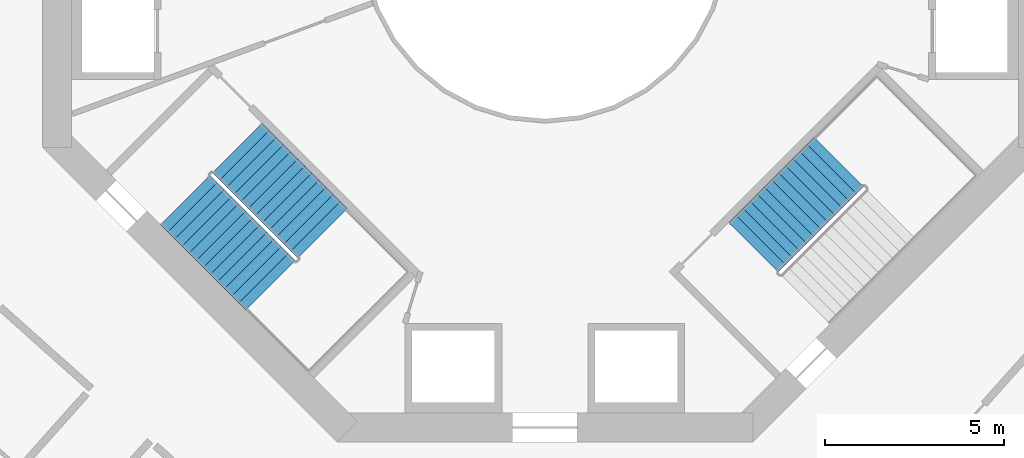
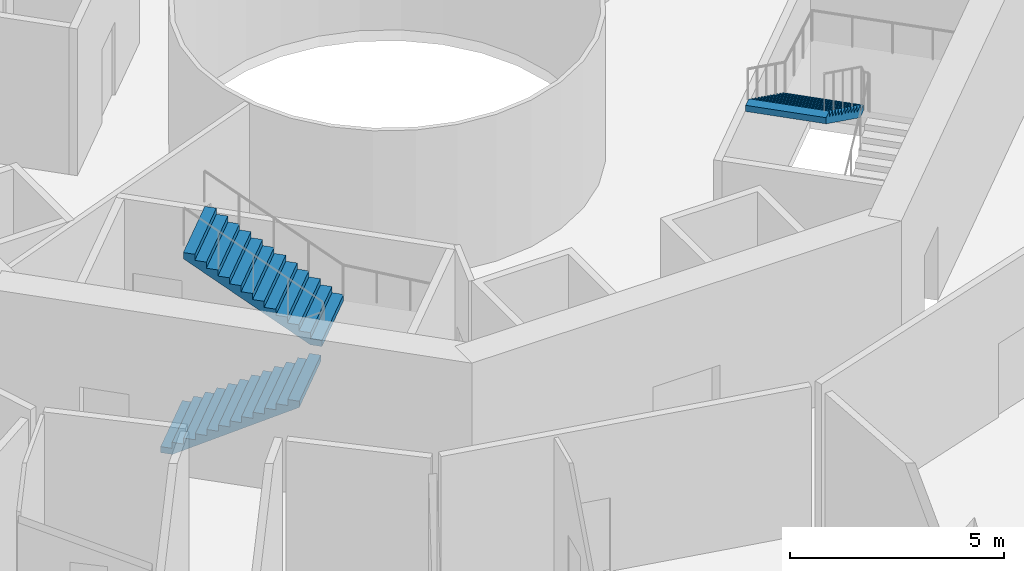
# One storey, part 19 of 21: 3 stair flights, 2 elements without a shape of their own.
"""IFC4 building model written with IfcOpenShell, lengths in metres."""

from ifc_helpers import new_model, si_unit, direction, frame, origin, place, context, subcontext, project, spatial, triangles, material, type_object, element, aggregate, save


model = new_model("IFC4")

# Units and contexts
model_context = context("Model", 3, precision=1e-05, world=origin(), true_north=direction((0.0, 1.0)))
body_context = subcontext(model_context, "Body", "Model", "MODEL_VIEW")
ifc_project = project(units=[si_unit("LENGTHUNIT", "METRE"), si_unit("AREAUNIT", "SQUARE_METRE"), si_unit("VOLUMEUNIT", "CUBIC_METRE"), si_unit("PLANEANGLEUNIT", "RADIAN"), si_unit("MASSUNIT", "GRAM", prefix="KILO")], contexts=[model_context])

# Site, building, storey
site_placement = place(None, origin())
site = spatial("IfcSite", under=ifc_project, at=site_placement, CompositionType="ELEMENT")
building_placement = place(site_placement, origin())
building = spatial("IfcBuilding", under=site, at=building_placement, Name="Verdalira Terraces Hotel", CompositionType="ELEMENT")
storey_placement = place(building_placement, frame((0.0, 0.0, 107.0)))
storey = spatial("IfcBuildingStorey", under=building, at=storey_placement, Name="L25", CompositionType="ELEMENT", Elevation=107.0)

# Stair, stair flights
ifc_material_1 = material(Name="Concrete C40", Category="concrete")
stair_type = type_object("IfcStairType", Name="Core stair 26 risers 1950 mm wide", PredefinedType="HALF_TURN_STAIR", material=ifc_material_1)
stair_1_placement = place(storey_placement, origin())
stair_1 = element("IfcStair", 1, at=stair_1_placement, inside=storey, type_object=stair_type, Name="L25 Exit stair ST2", PredefinedType="HALF_TURN_STAIR")
ifc_material_2 = material(Name="Concrete C40", Category="concrete")
stair_flight_type = type_object("IfcStairFlightType", Name="Core stair flight 26 risers 1950 mm wide", PredefinedType="STRAIGHT", material=ifc_material_2)
stair_flight_1_placement = place(storey_placement, frame((-10.023193, -7.265625, 0.0), z_axis=(0.0, 0.0, 1.0), x_axis=(0.707106781, -0.707106781, 0.0)))
stair_flight_1 = element("IfcStairFlight", 2, at=stair_flight_1_placement, type_object=stair_flight_type, Name="ST2 flight 1", NumberOfRisers=13, NumberOfTreads=12, PredefinedType="STRAIGHT", RiserHeight=0.173076923, TreadLength=0.28, context=body_context, shape_type="Tessellation", body=[
    triangles([(0.0, 0.974976, 0.0), (0.285156, 0.974976, 0.0), (3.360107, 0.974976, 1.900635), (0.0, -0.974976, 0.0), (0.285156, -0.974976, 0.0), (3.360107, -0.974976, 1.900635), (3.360107, 0.974976, 2.076904), (3.080078, 0.974976, 2.076904), (3.360107, -0.974976, 2.076904), (3.080078, -0.974976, 2.076904), (3.080078, 0.974976, 1.903809), (3.080078, -0.974976, 1.903809), (2.800049, 0.974976, 1.903809), (2.800049, -0.974976, 1.903809), (2.800049, 0.974976, 1.730713), (2.800049, -0.974976, 1.730713), (2.52002, 0.974976, 1.730713), (2.52002, 0.974976, 1.557617), (2.52002, -0.974976, 1.730713), (2.52002, -0.974976, 1.557617), (2.23999, 0.974976, 1.557617), (2.23999, 0.974976, 1.384521), (2.23999, -0.974976, 1.557617), (2.23999, -0.974976, 1.384521), (1.959961, 0.974976, 1.384521), (1.959961, 0.974976, 1.211426), (1.959961, -0.974976, 1.384521), (1.959961, -0.974976, 1.211426), (1.679932, 0.974976, 1.211426), (1.679932, 0.974976, 1.038574), (1.679932, -0.974976, 1.211426), (1.679932, -0.974976, 1.038574), (1.399902, 0.974976, 1.038574), (1.399902, 0.974976, 0.865479), (1.399902, -0.974976, 1.038574), (1.399902, -0.974976, 0.865479), (1.120117, 0.974976, 0.865479), (1.120117, 0.974976, 0.692383), (1.120117, -0.974976, 0.865479), (1.120117, -0.974976, 0.692383), (0.840088, 0.974976, 0.692383), (0.840088, 0.974976, 0.519287), (0.840088, -0.974976, 0.692383), (0.840088, -0.974976, 0.519287), (0.560059, 0.974976, 0.519287), (0.560059, 0.974976, 0.346191), (0.560059, -0.974976, 0.519287), (0.560059, -0.974976, 0.346191), (0.280029, 0.974976, 0.346191), (0.280029, 0.974976, 0.173096), (0.280029, -0.974976, 0.346191), (0.280029, -0.974976, 0.173096), (0.0, 0.974976, 0.173096), (0.0, -0.974976, 0.173096), (0.0, -0.91404, 0.0), (0.0, -0.91404, 0.173096), (0.0, -0.853104, 0.0), (0.0, -0.853104, 0.173096), (0.0, -0.792168, 0.0), (0.0, -0.792168, 0.173096), (0.0, -0.731232, 0.0), (0.0, -0.731232, 0.173096), (0.0, -0.670296, 0.0), (0.0, -0.670296, 0.173096), (0.0, -0.60936, 0.0), (0.0, -0.60936, 0.173096), (0.0, -0.548424, 0.0), (0.0, -0.548424, 0.173096), (0.0, -0.487488, 0.0), (0.0, -0.487488, 0.173096), (0.0, -0.426552, 0.0), (0.0, -0.426552, 0.173096), (0.0, -0.365616, 0.0), (0.0, -0.365616, 0.173096), (0.0, -0.30468, 0.0), (0.0, -0.30468, 0.173096), (0.0, -0.243744, 0.0), (0.0, -0.243744, 0.173096), (0.0, -0.182808, 0.0), (0.0, -0.182808, 0.173096), (0.0, -0.121872, 0.0), (0.0, -0.121872, 0.173096), (0.0, -0.060936, 0.0), (0.0, -0.060936, 0.173096), (0.0, 0.0, 0.0), (0.0, 0.0, 0.173096), (0.0, 0.060936, 0.0), (0.0, 0.060936, 0.173096), (0.0, 0.121872, 0.0), (0.0, 0.121872, 0.173096), (0.0, 0.182808, 0.0), (0.0, 0.182808, 0.173096), (0.0, 0.243744, 0.0), (0.0, 0.243744, 0.173096), (0.0, 0.30468, 0.0), (0.0, 0.30468, 0.173096), (0.0, 0.365616, 0.0), (0.0, 0.365616, 0.173096), (0.0, 0.426552, 0.0), (0.0, 0.426552, 0.173096), (0.0, 0.487488, 0.0), (0.0, 0.487488, 0.173096), (0.0, 0.548424, 0.0), (0.0, 0.548424, 0.173096), (0.0, 0.60936, 0.0), (0.0, 0.60936, 0.173096), (0.0, 0.670296, 0.0), (0.0, 0.670296, 0.173096), (0.0, 0.731232, 0.0), (0.0, 0.731232, 0.173096), (0.0, 0.792168, 0.0), (0.0, 0.792168, 0.173096), (0.0, 0.853104, 0.0), (0.0, 0.853104, 0.173096), (0.0, 0.91404, 0.0), (0.0, 0.91404, 0.173096), (3.360107, -0.91404, 2.076904), (3.360107, -0.853104, 2.076904), (3.360107, -0.792168, 2.076904), (3.360107, -0.731232, 2.076904), (3.360107, -0.670296, 2.076904), (3.360107, -0.60936, 2.076904), (3.360107, -0.548424, 2.076904), (3.360107, -0.487488, 2.076904), (3.360107, -0.426552, 2.076904), (3.360107, -0.365616, 2.076904), (3.360107, -0.30468, 2.076904), (3.360107, -0.243744, 2.076904), (3.360107, -0.182808, 2.076904), (3.360107, -0.121872, 2.076904), (3.360107, -0.060936, 2.076904), (3.360107, 0.0, 2.076904), (3.360107, 0.060936, 2.076904), (3.360107, 0.121872, 2.076904), (3.360107, 0.182808, 2.076904), (3.360107, 0.243744, 2.076904), (3.360107, 0.30468, 2.076904), (3.360107, 0.365616, 2.076904), (3.360107, 0.426552, 2.076904), (3.360107, 0.487488, 2.076904), (3.360107, 0.548424, 2.076904), (3.360107, 0.60936, 2.076904), (3.360107, 0.670296, 2.076904), (3.360107, 0.731232, 2.076904), (3.360107, 0.792168, 2.076904), (3.360107, 0.853104, 2.076904), (3.360107, 0.91404, 2.076904), (3.360107, -0.91404, 1.900635), (3.360107, -0.853104, 1.900635), (3.360107, -0.792168, 1.900635), (3.360107, -0.731232, 1.900635), (3.360107, -0.670296, 1.900635), (3.360107, -0.60936, 1.900635), (3.360107, -0.548424, 1.900635), (3.360107, -0.487488, 1.900635), (3.360107, -0.426552, 1.900635), (3.360107, -0.365616, 1.900635), (3.360107, -0.30468, 1.900635), (3.360107, -0.243744, 1.900635), (3.360107, -0.182808, 1.900635), (3.360107, -0.121872, 1.900635), (3.360107, -0.060936, 1.900635), (3.360107, 0.0, 1.900635), (3.360107, 0.060936, 1.900635), (3.360107, 0.121872, 1.900635), (3.360107, 0.182808, 1.900635), (3.360107, 0.243744, 1.900635), (3.360107, 0.30468, 1.900635), (3.360107, 0.365616, 1.900635), (3.360107, 0.426552, 1.900635), (3.360107, 0.487488, 1.900635), (3.360107, 0.548424, 1.900635), (3.360107, 0.60936, 1.900635), (3.360107, 0.670296, 1.900635), (3.360107, 0.731232, 1.900635), (3.360107, 0.792168, 1.900635), (3.360107, 0.853104, 1.900635), (3.360107, 0.91404, 1.900635)], [[1, 3, 2], [4, 5, 6], [3, 8, 7], [6, 9, 10], [3, 11, 8], [6, 10, 12], [3, 13, 11], [6, 12, 14], [3, 15, 13], [6, 14, 16], [15, 18, 17], [16, 19, 20], [3, 18, 15], [6, 16, 20], [18, 22, 21], [20, 23, 24], [3, 22, 18], [6, 20, 24], [22, 26, 25], [24, 27, 28], [3, 26, 22], [6, 24, 28], [1, 26, 3], [4, 6, 28], [26, 30, 29], [28, 31, 32], [30, 34, 33], [32, 35, 36], [26, 34, 30], [28, 32, 36], [34, 38, 37], [36, 39, 40], [26, 38, 34], [28, 36, 40], [38, 42, 41], [40, 43, 44], [26, 42, 38], [28, 40, 44], [42, 46, 45], [44, 47, 48], [26, 46, 42], [28, 44, 48], [46, 50, 49], [48, 51, 52], [26, 50, 46], [28, 48, 52], [1, 50, 26], [4, 28, 52], [50, 1, 53], [52, 54, 4], [4, 56, 55], [4, 54, 56], [55, 58, 57], [55, 56, 58], [57, 60, 59], [57, 58, 60], [59, 62, 61], [59, 60, 62], [61, 64, 63], [61, 62, 64], [63, 66, 65], [63, 64, 66], [65, 68, 67], [65, 66, 68], [67, 70, 69], [67, 68, 70], [69, 72, 71], [69, 70, 72], [71, 74, 73], [71, 72, 74], [73, 76, 75], [73, 74, 76], [75, 78, 77], [75, 76, 78], [77, 80, 79], [77, 78, 80], [79, 82, 81], [79, 80, 82], [81, 84, 83], [81, 82, 84], [83, 86, 85], [83, 84, 86], [85, 88, 87], [85, 86, 88], [87, 90, 89], [87, 88, 90], [89, 92, 91], [89, 90, 92], [91, 94, 93], [91, 92, 94], [93, 96, 95], [93, 94, 96], [95, 98, 97], [95, 96, 98], [97, 100, 99], [97, 98, 100], [99, 102, 101], [99, 100, 102], [101, 104, 103], [101, 102, 104], [103, 106, 105], [103, 104, 106], [105, 108, 107], [105, 106, 108], [107, 110, 109], [107, 108, 110], [109, 112, 111], [109, 110, 112], [111, 114, 113], [111, 112, 114], [113, 116, 115], [113, 114, 116], [115, 53, 1], [115, 116, 53], [54, 52, 56], [56, 52, 58], [58, 52, 60], [60, 52, 62], [62, 52, 64], [64, 52, 66], [66, 52, 68], [68, 52, 70], [70, 52, 72], [72, 52, 74], [74, 52, 76], [76, 52, 78], [78, 52, 80], [80, 52, 82], [82, 52, 84], [84, 52, 86], [86, 52, 88], [88, 52, 90], [90, 52, 92], [92, 52, 94], [94, 52, 96], [96, 52, 98], [98, 52, 100], [100, 52, 102], [102, 52, 104], [104, 52, 106], [106, 52, 108], [108, 52, 110], [110, 52, 112], [112, 52, 114], [114, 52, 116], [116, 52, 53], [53, 52, 50], [52, 49, 50], [52, 51, 49], [51, 46, 49], [51, 48, 46], [48, 45, 46], [48, 47, 45], [47, 42, 45], [47, 44, 42], [44, 41, 42], [44, 43, 41], [43, 38, 41], [43, 40, 38], [40, 37, 38], [40, 39, 37], [39, 34, 37], [39, 36, 34], [36, 33, 34], [36, 35, 33], [35, 30, 33], [35, 32, 30], [32, 29, 30], [32, 31, 29], [31, 26, 29], [31, 28, 26], [28, 25, 26], [28, 27, 25], [27, 22, 25], [27, 24, 22], [24, 21, 22], [24, 23, 21], [23, 18, 21], [23, 20, 18], [20, 17, 18], [20, 19, 17], [19, 15, 17], [19, 16, 15], [16, 13, 15], [16, 14, 13], [14, 11, 13], [14, 12, 11], [12, 8, 11], [12, 10, 8], [9, 117, 10], [117, 118, 10], [118, 119, 10], [119, 120, 10], [120, 121, 10], [121, 122, 10], [122, 123, 10], [123, 124, 10], [124, 125, 10], [125, 126, 10], [126, 127, 10], [127, 128, 10], [128, 129, 10], [129, 130, 10], [130, 131, 10], [131, 132, 10], [132, 133, 10], [133, 134, 10], [134, 135, 10], [135, 136, 10], [136, 137, 10], [137, 138, 10], [138, 139, 10], [139, 140, 10], [140, 141, 10], [141, 142, 10], [142, 143, 10], [143, 144, 10], [144, 145, 10], [145, 146, 10], [146, 147, 10], [147, 7, 10], [7, 8, 10], [9, 148, 117], [9, 6, 148], [117, 149, 118], [117, 148, 149], [118, 150, 119], [118, 149, 150], [119, 151, 120], [119, 150, 151], [120, 152, 121], [120, 151, 152], [121, 153, 122], [121, 152, 153], [122, 154, 123], [122, 153, 154], [123, 155, 124], [123, 154, 155], [124, 156, 125], [124, 155, 156], [125, 157, 126], [125, 156, 157], [126, 158, 127], [126, 157, 158], [127, 159, 128], [127, 158, 159], [128, 160, 129], [128, 159, 160], [129, 161, 130], [129, 160, 161], [130, 162, 131], [130, 161, 162], [131, 163, 132], [131, 162, 163], [132, 164, 133], [132, 163, 164], [133, 165, 134], [133, 164, 165], [134, 166, 135], [134, 165, 166], [135, 167, 136], [135, 166, 167], [136, 168, 137], [136, 167, 168], [137, 169, 138], [137, 168, 169], [138, 170, 139], [138, 169, 170], [139, 171, 140], [139, 170, 171], [140, 172, 141], [140, 171, 172], [141, 173, 142], [141, 172, 173], [142, 174, 143], [142, 173, 174], [143, 175, 144], [143, 174, 175], [144, 176, 145], [144, 175, 176], [145, 177, 146], [145, 176, 177], [146, 178, 147], [146, 177, 178], [147, 3, 7], [147, 178, 3], [6, 5, 148], [148, 5, 149], [149, 5, 150], [150, 5, 151], [151, 5, 152], [152, 5, 153], [153, 5, 154], [154, 5, 155], [155, 5, 156], [156, 5, 157], [157, 5, 158], [158, 5, 159], [159, 5, 160], [160, 5, 161], [161, 5, 162], [162, 5, 163], [163, 5, 164], [164, 5, 165], [165, 5, 166], [166, 5, 167], [167, 5, 168], [168, 5, 169], [169, 5, 170], [170, 5, 171], [171, 5, 172], [172, 5, 173], [173, 5, 174], [174, 5, 175], [175, 5, 176], [176, 5, 177], [177, 5, 178], [178, 5, 3], [3, 5, 2], [4, 55, 5], [55, 57, 5], [57, 59, 5], [59, 61, 5], [61, 63, 5], [63, 65, 5], [65, 67, 5], [67, 69, 5], [69, 71, 5], [71, 73, 5], [73, 75, 5], [75, 77, 5], [77, 79, 5], [79, 81, 5], [81, 83, 5], [83, 85, 5], [85, 87, 5], [87, 89, 5], [89, 91, 5], [91, 93, 5], [93, 95, 5], [95, 97, 5], [97, 99, 5], [99, 101, 5], [101, 103, 5], [103, 105, 5], [105, 107, 5], [107, 109, 5], [109, 111, 5], [111, 113, 5], [113, 115, 5], [115, 1, 5], [1, 2, 5]], closed=True),
])
stair_flight_2_placement = place(storey_placement, frame((-6.197754, -8.191895, 2.25), z_axis=(0.0, 0.0, 1.0), x_axis=(-0.707106781, 0.707106781, 0.0)))
stair_flight_2 = element("IfcStairFlight", 3, at=stair_flight_2_placement, type_object=stair_flight_type, Name="ST2 flight 2", NumberOfRisers=13, NumberOfTreads=12, PredefinedType="STRAIGHT", RiserHeight=0.173076923, TreadLength=0.28, context=body_context, shape_type="Tessellation", body=[
    triangles([(0.0, 0.974976, 0.0), (0.285156, 0.974976, 0.0), (3.360107, 0.974976, 1.900635), (0.0, -0.974976, 0.0), (0.285156, -0.974976, 0.0), (3.360107, -0.974976, 1.900635), (3.360107, 0.974976, 2.076904), (3.080078, 0.974976, 2.076904), (3.360107, -0.974976, 2.076904), (3.080078, -0.974976, 2.076904), (3.080078, 0.974976, 1.903809), (3.080078, -0.974976, 1.903809), (2.800049, 0.974976, 1.903809), (2.800049, -0.974976, 1.903809), (2.800049, 0.974976, 1.730713), (2.800049, -0.974976, 1.730713), (2.52002, 0.974976, 1.730713), (2.52002, 0.974976, 1.557617), (2.52002, -0.974976, 1.730713), (2.52002, -0.974976, 1.557617), (2.23999, 0.974976, 1.557617), (2.23999, 0.974976, 1.384521), (2.23999, -0.974976, 1.557617), (2.23999, -0.974976, 1.384521), (1.959961, 0.974976, 1.384521), (1.959961, 0.974976, 1.211426), (1.959961, -0.974976, 1.384521), (1.959961, -0.974976, 1.211426), (1.679932, 0.974976, 1.211426), (1.679932, 0.974976, 1.038574), (1.679932, -0.974976, 1.211426), (1.679932, -0.974976, 1.038574), (1.399902, 0.974976, 1.038574), (1.399902, 0.974976, 0.865479), (1.399902, -0.974976, 1.038574), (1.399902, -0.974976, 0.865479), (1.120117, 0.974976, 0.865479), (1.120117, 0.974976, 0.692383), (1.120117, -0.974976, 0.865479), (1.120117, -0.974976, 0.692383), (0.840088, 0.974976, 0.692383), (0.840088, 0.974976, 0.519287), (0.840088, -0.974976, 0.692383), (0.840088, -0.974976, 0.519287), (0.560059, 0.974976, 0.519287), (0.560059, 0.974976, 0.346191), (0.560059, -0.974976, 0.519287), (0.560059, -0.974976, 0.346191), (0.280029, 0.974976, 0.346191), (0.280029, 0.974976, 0.173096), (0.280029, -0.974976, 0.346191), (0.280029, -0.974976, 0.173096), (0.0, 0.974976, 0.173096), (0.0, -0.974976, 0.173096), (0.0, -0.91404, 0.0), (0.0, -0.91404, 0.173096), (0.0, -0.853104, 0.0), (0.0, -0.853104, 0.173096), (0.0, -0.792168, 0.0), (0.0, -0.792168, 0.173096), (0.0, -0.731232, 0.0), (0.0, -0.731232, 0.173096), (0.0, -0.670296, 0.0), (0.0, -0.670296, 0.173096), (0.0, -0.60936, 0.0), (0.0, -0.60936, 0.173096), (0.0, -0.548424, 0.0), (0.0, -0.548424, 0.173096), (0.0, -0.487488, 0.0), (0.0, -0.487488, 0.173096), (0.0, -0.426552, 0.0), (0.0, -0.426552, 0.173096), (0.0, -0.365616, 0.0), (0.0, -0.365616, 0.173096), (0.0, -0.30468, 0.0), (0.0, -0.30468, 0.173096), (0.0, -0.243744, 0.0), (0.0, -0.243744, 0.173096), (0.0, -0.182808, 0.0), (0.0, -0.182808, 0.173096), (0.0, -0.121872, 0.0), (0.0, -0.121872, 0.173096), (0.0, -0.060936, 0.0), (0.0, -0.060936, 0.173096), (0.0, 0.0, 0.0), (0.0, 0.0, 0.173096), (0.0, 0.060936, 0.0), (0.0, 0.060936, 0.173096), (0.0, 0.121872, 0.0), (0.0, 0.121872, 0.173096), (0.0, 0.182808, 0.0), (0.0, 0.182808, 0.173096), (0.0, 0.243744, 0.0), (0.0, 0.243744, 0.173096), (0.0, 0.30468, 0.0), (0.0, 0.30468, 0.173096), (0.0, 0.365616, 0.0), (0.0, 0.365616, 0.173096), (0.0, 0.426552, 0.0), (0.0, 0.426552, 0.173096), (0.0, 0.487488, 0.0), (0.0, 0.487488, 0.173096), (0.0, 0.548424, 0.0), (0.0, 0.548424, 0.173096), (0.0, 0.60936, 0.0), (0.0, 0.60936, 0.173096), (0.0, 0.670296, 0.0), (0.0, 0.670296, 0.173096), (0.0, 0.731232, 0.0), (0.0, 0.731232, 0.173096), (0.0, 0.792168, 0.0), (0.0, 0.792168, 0.173096), (0.0, 0.853104, 0.0), (0.0, 0.853104, 0.173096), (0.0, 0.91404, 0.0), (0.0, 0.91404, 0.173096), (3.360107, -0.91404, 2.076904), (3.360107, -0.853104, 2.076904), (3.360107, -0.792168, 2.076904), (3.360107, -0.731232, 2.076904), (3.360107, -0.670296, 2.076904), (3.360107, -0.60936, 2.076904), (3.360107, -0.548424, 2.076904), (3.360107, -0.487488, 2.076904), (3.360107, -0.426552, 2.076904), (3.360107, -0.365616, 2.076904), (3.360107, -0.30468, 2.076904), (3.360107, -0.243744, 2.076904), (3.360107, -0.182808, 2.076904), (3.360107, -0.121872, 2.076904), (3.360107, -0.060936, 2.076904), (3.360107, 0.0, 2.076904), (3.360107, 0.060936, 2.076904), (3.360107, 0.121872, 2.076904), (3.360107, 0.182808, 2.076904), (3.360107, 0.243744, 2.076904), (3.360107, 0.30468, 2.076904), (3.360107, 0.365616, 2.076904), (3.360107, 0.426552, 2.076904), (3.360107, 0.487488, 2.076904), (3.360107, 0.548424, 2.076904), (3.360107, 0.60936, 2.076904), (3.360107, 0.670296, 2.076904), (3.360107, 0.731232, 2.076904), (3.360107, 0.792168, 2.076904), (3.360107, 0.853104, 2.076904), (3.360107, 0.91404, 2.076904), (3.360107, -0.91404, 1.900635), (3.360107, -0.853104, 1.900635), (3.360107, -0.792168, 1.900635), (3.360107, -0.731232, 1.900635), (3.360107, -0.670296, 1.900635), (3.360107, -0.60936, 1.900635), (3.360107, -0.548424, 1.900635), (3.360107, -0.487488, 1.900635), (3.360107, -0.426552, 1.900635), (3.360107, -0.365616, 1.900635), (3.360107, -0.30468, 1.900635), (3.360107, -0.243744, 1.900635), (3.360107, -0.182808, 1.900635), (3.360107, -0.121872, 1.900635), (3.360107, -0.060936, 1.900635), (3.360107, 0.0, 1.900635), (3.360107, 0.060936, 1.900635), (3.360107, 0.121872, 1.900635), (3.360107, 0.182808, 1.900635), (3.360107, 0.243744, 1.900635), (3.360107, 0.30468, 1.900635), (3.360107, 0.365616, 1.900635), (3.360107, 0.426552, 1.900635), (3.360107, 0.487488, 1.900635), (3.360107, 0.548424, 1.900635), (3.360107, 0.60936, 1.900635), (3.360107, 0.670296, 1.900635), (3.360107, 0.731232, 1.900635), (3.360107, 0.792168, 1.900635), (3.360107, 0.853104, 1.900635), (3.360107, 0.91404, 1.900635)], [[1, 3, 2], [4, 5, 6], [3, 8, 7], [6, 9, 10], [3, 11, 8], [6, 10, 12], [3, 13, 11], [6, 12, 14], [3, 15, 13], [6, 14, 16], [15, 18, 17], [16, 19, 20], [3, 18, 15], [6, 16, 20], [18, 22, 21], [20, 23, 24], [3, 22, 18], [6, 20, 24], [22, 26, 25], [24, 27, 28], [3, 26, 22], [6, 24, 28], [1, 26, 3], [4, 6, 28], [26, 30, 29], [28, 31, 32], [30, 34, 33], [32, 35, 36], [26, 34, 30], [28, 32, 36], [34, 38, 37], [36, 39, 40], [26, 38, 34], [28, 36, 40], [38, 42, 41], [40, 43, 44], [26, 42, 38], [28, 40, 44], [42, 46, 45], [44, 47, 48], [26, 46, 42], [28, 44, 48], [46, 50, 49], [48, 51, 52], [26, 50, 46], [28, 48, 52], [1, 50, 26], [4, 28, 52], [50, 1, 53], [52, 54, 4], [4, 56, 55], [4, 54, 56], [55, 58, 57], [55, 56, 58], [57, 60, 59], [57, 58, 60], [59, 62, 61], [59, 60, 62], [61, 64, 63], [61, 62, 64], [63, 66, 65], [63, 64, 66], [65, 68, 67], [65, 66, 68], [67, 70, 69], [67, 68, 70], [69, 72, 71], [69, 70, 72], [71, 74, 73], [71, 72, 74], [73, 76, 75], [73, 74, 76], [75, 78, 77], [75, 76, 78], [77, 80, 79], [77, 78, 80], [79, 82, 81], [79, 80, 82], [81, 84, 83], [81, 82, 84], [83, 86, 85], [83, 84, 86], [85, 88, 87], [85, 86, 88], [87, 90, 89], [87, 88, 90], [89, 92, 91], [89, 90, 92], [91, 94, 93], [91, 92, 94], [93, 96, 95], [93, 94, 96], [95, 98, 97], [95, 96, 98], [97, 100, 99], [97, 98, 100], [99, 102, 101], [99, 100, 102], [101, 104, 103], [101, 102, 104], [103, 106, 105], [103, 104, 106], [105, 108, 107], [105, 106, 108], [107, 110, 109], [107, 108, 110], [109, 112, 111], [109, 110, 112], [111, 114, 113], [111, 112, 114], [113, 116, 115], [113, 114, 116], [115, 53, 1], [115, 116, 53], [54, 52, 56], [56, 52, 58], [58, 52, 60], [60, 52, 62], [62, 52, 64], [64, 52, 66], [66, 52, 68], [68, 52, 70], [70, 52, 72], [72, 52, 74], [74, 52, 76], [76, 52, 78], [78, 52, 80], [80, 52, 82], [82, 52, 84], [84, 52, 86], [86, 52, 88], [88, 52, 90], [90, 52, 92], [92, 52, 94], [94, 52, 96], [96, 52, 98], [98, 52, 100], [100, 52, 102], [102, 52, 104], [104, 52, 106], [106, 52, 108], [108, 52, 110], [110, 52, 112], [112, 52, 114], [114, 52, 116], [116, 52, 53], [53, 52, 50], [52, 49, 50], [52, 51, 49], [51, 46, 49], [51, 48, 46], [48, 45, 46], [48, 47, 45], [47, 42, 45], [47, 44, 42], [44, 41, 42], [44, 43, 41], [43, 38, 41], [43, 40, 38], [40, 37, 38], [40, 39, 37], [39, 34, 37], [39, 36, 34], [36, 33, 34], [36, 35, 33], [35, 30, 33], [35, 32, 30], [32, 29, 30], [32, 31, 29], [31, 26, 29], [31, 28, 26], [28, 25, 26], [28, 27, 25], [27, 22, 25], [27, 24, 22], [24, 21, 22], [24, 23, 21], [23, 18, 21], [23, 20, 18], [20, 17, 18], [20, 19, 17], [19, 15, 17], [19, 16, 15], [16, 13, 15], [16, 14, 13], [14, 11, 13], [14, 12, 11], [12, 8, 11], [12, 10, 8], [9, 117, 10], [117, 118, 10], [118, 119, 10], [119, 120, 10], [120, 121, 10], [121, 122, 10], [122, 123, 10], [123, 124, 10], [124, 125, 10], [125, 126, 10], [126, 127, 10], [127, 128, 10], [128, 129, 10], [129, 130, 10], [130, 131, 10], [131, 132, 10], [132, 133, 10], [133, 134, 10], [134, 135, 10], [135, 136, 10], [136, 137, 10], [137, 138, 10], [138, 139, 10], [139, 140, 10], [140, 141, 10], [141, 142, 10], [142, 143, 10], [143, 144, 10], [144, 145, 10], [145, 146, 10], [146, 147, 10], [147, 7, 10], [7, 8, 10], [9, 148, 117], [9, 6, 148], [117, 149, 118], [117, 148, 149], [118, 150, 119], [118, 149, 150], [119, 151, 120], [119, 150, 151], [120, 152, 121], [120, 151, 152], [121, 153, 122], [121, 152, 153], [122, 154, 123], [122, 153, 154], [123, 155, 124], [123, 154, 155], [124, 156, 125], [124, 155, 156], [125, 157, 126], [125, 156, 157], [126, 158, 127], [126, 157, 158], [127, 159, 128], [127, 158, 159], [128, 160, 129], [128, 159, 160], [129, 161, 130], [129, 160, 161], [130, 162, 131], [130, 161, 162], [131, 163, 132], [131, 162, 163], [132, 164, 133], [132, 163, 164], [133, 165, 134], [133, 164, 165], [134, 166, 135], [134, 165, 166], [135, 167, 136], [135, 166, 167], [136, 168, 137], [136, 167, 168], [137, 169, 138], [137, 168, 169], [138, 170, 139], [138, 169, 170], [139, 171, 140], [139, 170, 171], [140, 172, 141], [140, 171, 172], [141, 173, 142], [141, 172, 173], [142, 174, 143], [142, 173, 174], [143, 175, 144], [143, 174, 175], [144, 176, 145], [144, 175, 176], [145, 177, 146], [145, 176, 177], [146, 178, 147], [146, 177, 178], [147, 3, 7], [147, 178, 3], [6, 5, 148], [148, 5, 149], [149, 5, 150], [150, 5, 151], [151, 5, 152], [152, 5, 153], [153, 5, 154], [154, 5, 155], [155, 5, 156], [156, 5, 157], [157, 5, 158], [158, 5, 159], [159, 5, 160], [160, 5, 161], [161, 5, 162], [162, 5, 163], [163, 5, 164], [164, 5, 165], [165, 5, 166], [166, 5, 167], [167, 5, 168], [168, 5, 169], [169, 5, 170], [170, 5, 171], [171, 5, 172], [172, 5, 173], [173, 5, 174], [174, 5, 175], [175, 5, 176], [176, 5, 177], [177, 5, 178], [178, 5, 3], [3, 5, 2], [4, 55, 5], [55, 57, 5], [57, 59, 5], [59, 61, 5], [61, 63, 5], [63, 65, 5], [65, 67, 5], [67, 69, 5], [69, 71, 5], [71, 73, 5], [73, 75, 5], [75, 77, 5], [77, 79, 5], [79, 81, 5], [81, 83, 5], [83, 85, 5], [85, 87, 5], [87, 89, 5], [89, 91, 5], [91, 93, 5], [93, 95, 5], [95, 97, 5], [97, 99, 5], [99, 101, 5], [101, 103, 5], [103, 105, 5], [105, 107, 5], [107, 109, 5], [109, 111, 5], [111, 113, 5], [113, 115, 5], [115, 1, 5], [1, 2, 5]], closed=True),
])
aggregate(stair_1, [stair_flight_1, stair_flight_2])

# Stair, stair flight
stair_2_placement = place(storey_placement, origin())
stair_2 = element("IfcStair", 4, at=stair_2_placement, inside=storey, type_object=stair_type, Name="L25 Exit stair ST3", PredefinedType="HALF_TURN_STAIR")
stair_flight_3_placement = place(storey_placement, frame((8.191895, -6.197754, 2.25), z_axis=(0.0, 0.0, 1.0), x_axis=(-0.707106781, -0.707106781, 0.0)))
stair_flight_3 = element("IfcStairFlight", 5, at=stair_flight_3_placement, type_object=stair_flight_type, Name="ST3 flight 2", NumberOfRisers=13, NumberOfTreads=12, PredefinedType="STRAIGHT", RiserHeight=0.173076923, TreadLength=0.28, context=body_context, shape_type="Tessellation", body=[
    triangles([(0.0, 0.974976, 0.0), (0.285156, 0.974976, 0.0), (3.360107, 0.974976, 1.900635), (0.0, -0.974976, 0.0), (0.285156, -0.974976, 0.0), (3.360107, -0.974976, 1.900635), (3.360107, 0.974976, 2.076904), (3.080078, 0.974976, 2.076904), (3.360107, -0.974976, 2.076904), (3.080078, -0.974976, 2.076904), (3.080078, 0.974976, 1.903809), (3.080078, -0.974976, 1.903809), (2.800049, 0.974976, 1.903809), (2.800049, -0.974976, 1.903809), (2.800049, 0.974976, 1.730713), (2.800049, -0.974976, 1.730713), (2.52002, 0.974976, 1.730713), (2.52002, 0.974976, 1.557617), (2.52002, -0.974976, 1.730713), (2.52002, -0.974976, 1.557617), (2.23999, 0.974976, 1.557617), (2.23999, 0.974976, 1.384521), (2.23999, -0.974976, 1.557617), (2.23999, -0.974976, 1.384521), (1.959961, 0.974976, 1.384521), (1.959961, 0.974976, 1.211426), (1.959961, -0.974976, 1.384521), (1.959961, -0.974976, 1.211426), (1.679932, 0.974976, 1.211426), (1.679932, 0.974976, 1.038574), (1.679932, -0.974976, 1.211426), (1.679932, -0.974976, 1.038574), (1.399902, 0.974976, 1.038574), (1.399902, 0.974976, 0.865479), (1.399902, -0.974976, 1.038574), (1.399902, -0.974976, 0.865479), (1.120117, 0.974976, 0.865479), (1.120117, 0.974976, 0.692383), (1.120117, -0.974976, 0.865479), (1.120117, -0.974976, 0.692383), (0.840088, 0.974976, 0.692383), (0.840088, 0.974976, 0.519287), (0.840088, -0.974976, 0.692383), (0.840088, -0.974976, 0.519287), (0.560059, 0.974976, 0.519287), (0.560059, 0.974976, 0.346191), (0.560059, -0.974976, 0.519287), (0.560059, -0.974976, 0.346191), (0.280029, 0.974976, 0.346191), (0.280029, 0.974976, 0.173096), (0.280029, -0.974976, 0.346191), (0.280029, -0.974976, 0.173096), (0.0, 0.974976, 0.173096), (0.0, -0.974976, 0.173096), (0.0, -0.91404, 0.0), (0.0, -0.91404, 0.173096), (0.0, -0.853104, 0.0), (0.0, -0.853104, 0.173096), (0.0, -0.792168, 0.0), (0.0, -0.792168, 0.173096), (0.0, -0.731232, 0.0), (0.0, -0.731232, 0.173096), (0.0, -0.670296, 0.0), (0.0, -0.670296, 0.173096), (0.0, -0.60936, 0.0), (0.0, -0.60936, 0.173096), (0.0, -0.548424, 0.0), (0.0, -0.548424, 0.173096), (0.0, -0.487488, 0.0), (0.0, -0.487488, 0.173096), (0.0, -0.426552, 0.0), (0.0, -0.426552, 0.173096), (0.0, -0.365616, 0.0), (0.0, -0.365616, 0.173096), (0.0, -0.30468, 0.0), (0.0, -0.30468, 0.173096), (0.0, -0.243744, 0.0), (0.0, -0.243744, 0.173096), (0.0, -0.182808, 0.0), (0.0, -0.182808, 0.173096), (0.0, -0.121872, 0.0), (0.0, -0.121872, 0.173096), (0.0, -0.060936, 0.0), (0.0, -0.060936, 0.173096), (0.0, 0.0, 0.0), (0.0, 0.0, 0.173096), (0.0, 0.060936, 0.0), (0.0, 0.060936, 0.173096), (0.0, 0.121872, 0.0), (0.0, 0.121872, 0.173096), (0.0, 0.182808, 0.0), (0.0, 0.182808, 0.173096), (0.0, 0.243744, 0.0), (0.0, 0.243744, 0.173096), (0.0, 0.30468, 0.0), (0.0, 0.30468, 0.173096), (0.0, 0.365616, 0.0), (0.0, 0.365616, 0.173096), (0.0, 0.426552, 0.0), (0.0, 0.426552, 0.173096), (0.0, 0.487488, 0.0), (0.0, 0.487488, 0.173096), (0.0, 0.548424, 0.0), (0.0, 0.548424, 0.173096), (0.0, 0.60936, 0.0), (0.0, 0.60936, 0.173096), (0.0, 0.670296, 0.0), (0.0, 0.670296, 0.173096), (0.0, 0.731232, 0.0), (0.0, 0.731232, 0.173096), (0.0, 0.792168, 0.0), (0.0, 0.792168, 0.173096), (0.0, 0.853104, 0.0), (0.0, 0.853104, 0.173096), (0.0, 0.91404, 0.0), (0.0, 0.91404, 0.173096), (3.360107, -0.91404, 2.076904), (3.360107, -0.853104, 2.076904), (3.360107, -0.792168, 2.076904), (3.360107, -0.731232, 2.076904), (3.360107, -0.670296, 2.076904), (3.360107, -0.60936, 2.076904), (3.360107, -0.548424, 2.076904), (3.360107, -0.487488, 2.076904), (3.360107, -0.426552, 2.076904), (3.360107, -0.365616, 2.076904), (3.360107, -0.30468, 2.076904), (3.360107, -0.243744, 2.076904), (3.360107, -0.182808, 2.076904), (3.360107, -0.121872, 2.076904), (3.360107, -0.060936, 2.076904), (3.360107, 0.0, 2.076904), (3.360107, 0.060936, 2.076904), (3.360107, 0.121872, 2.076904), (3.360107, 0.182808, 2.076904), (3.360107, 0.243744, 2.076904), (3.360107, 0.30468, 2.076904), (3.360107, 0.365616, 2.076904), (3.360107, 0.426552, 2.076904), (3.360107, 0.487488, 2.076904), (3.360107, 0.548424, 2.076904), (3.360107, 0.60936, 2.076904), (3.360107, 0.670296, 2.076904), (3.360107, 0.731232, 2.076904), (3.360107, 0.792168, 2.076904), (3.360107, 0.853104, 2.076904), (3.360107, 0.91404, 2.076904), (3.360107, -0.91404, 1.900635), (3.360107, -0.853104, 1.900635), (3.360107, -0.792168, 1.900635), (3.360107, -0.731232, 1.900635), (3.360107, -0.670296, 1.900635), (3.360107, -0.60936, 1.900635), (3.360107, -0.548424, 1.900635), (3.360107, -0.487488, 1.900635), (3.360107, -0.426552, 1.900635), (3.360107, -0.365616, 1.900635), (3.360107, -0.30468, 1.900635), (3.360107, -0.243744, 1.900635), (3.360107, -0.182808, 1.900635), (3.360107, -0.121872, 1.900635), (3.360107, -0.060936, 1.900635), (3.360107, 0.0, 1.900635), (3.360107, 0.060936, 1.900635), (3.360107, 0.121872, 1.900635), (3.360107, 0.182808, 1.900635), (3.360107, 0.243744, 1.900635), (3.360107, 0.30468, 1.900635), (3.360107, 0.365616, 1.900635), (3.360107, 0.426552, 1.900635), (3.360107, 0.487488, 1.900635), (3.360107, 0.548424, 1.900635), (3.360107, 0.60936, 1.900635), (3.360107, 0.670296, 1.900635), (3.360107, 0.731232, 1.900635), (3.360107, 0.792168, 1.900635), (3.360107, 0.853104, 1.900635), (3.360107, 0.91404, 1.900635)], [[1, 3, 2], [4, 5, 6], [3, 8, 7], [6, 9, 10], [3, 11, 8], [6, 10, 12], [3, 13, 11], [6, 12, 14], [3, 15, 13], [6, 14, 16], [15, 18, 17], [16, 19, 20], [3, 18, 15], [6, 16, 20], [18, 22, 21], [20, 23, 24], [3, 22, 18], [6, 20, 24], [22, 26, 25], [24, 27, 28], [3, 26, 22], [6, 24, 28], [1, 26, 3], [4, 6, 28], [26, 30, 29], [28, 31, 32], [30, 34, 33], [32, 35, 36], [26, 34, 30], [28, 32, 36], [34, 38, 37], [36, 39, 40], [26, 38, 34], [28, 36, 40], [38, 42, 41], [40, 43, 44], [26, 42, 38], [28, 40, 44], [42, 46, 45], [44, 47, 48], [26, 46, 42], [28, 44, 48], [46, 50, 49], [48, 51, 52], [26, 50, 46], [28, 48, 52], [1, 50, 26], [4, 28, 52], [50, 1, 53], [52, 54, 4], [4, 56, 55], [4, 54, 56], [55, 58, 57], [55, 56, 58], [57, 60, 59], [57, 58, 60], [59, 62, 61], [59, 60, 62], [61, 64, 63], [61, 62, 64], [63, 66, 65], [63, 64, 66], [65, 68, 67], [65, 66, 68], [67, 70, 69], [67, 68, 70], [69, 72, 71], [69, 70, 72], [71, 74, 73], [71, 72, 74], [73, 76, 75], [73, 74, 76], [75, 78, 77], [75, 76, 78], [77, 80, 79], [77, 78, 80], [79, 82, 81], [79, 80, 82], [81, 84, 83], [81, 82, 84], [83, 86, 85], [83, 84, 86], [85, 88, 87], [85, 86, 88], [87, 90, 89], [87, 88, 90], [89, 92, 91], [89, 90, 92], [91, 94, 93], [91, 92, 94], [93, 96, 95], [93, 94, 96], [95, 98, 97], [95, 96, 98], [97, 100, 99], [97, 98, 100], [99, 102, 101], [99, 100, 102], [101, 104, 103], [101, 102, 104], [103, 106, 105], [103, 104, 106], [105, 108, 107], [105, 106, 108], [107, 110, 109], [107, 108, 110], [109, 112, 111], [109, 110, 112], [111, 114, 113], [111, 112, 114], [113, 116, 115], [113, 114, 116], [115, 53, 1], [115, 116, 53], [54, 52, 56], [56, 52, 58], [58, 52, 60], [60, 52, 62], [62, 52, 64], [64, 52, 66], [66, 52, 68], [68, 52, 70], [70, 52, 72], [72, 52, 74], [74, 52, 76], [76, 52, 78], [78, 52, 80], [80, 52, 82], [82, 52, 84], [84, 52, 86], [86, 52, 88], [88, 52, 90], [90, 52, 92], [92, 52, 94], [94, 52, 96], [96, 52, 98], [98, 52, 100], [100, 52, 102], [102, 52, 104], [104, 52, 106], [106, 52, 108], [108, 52, 110], [110, 52, 112], [112, 52, 114], [114, 52, 116], [116, 52, 53], [53, 52, 50], [52, 49, 50], [52, 51, 49], [51, 46, 49], [51, 48, 46], [48, 45, 46], [48, 47, 45], [47, 42, 45], [47, 44, 42], [44, 41, 42], [44, 43, 41], [43, 38, 41], [43, 40, 38], [40, 37, 38], [40, 39, 37], [39, 34, 37], [39, 36, 34], [36, 33, 34], [36, 35, 33], [35, 30, 33], [35, 32, 30], [32, 29, 30], [32, 31, 29], [31, 26, 29], [31, 28, 26], [28, 25, 26], [28, 27, 25], [27, 22, 25], [27, 24, 22], [24, 21, 22], [24, 23, 21], [23, 18, 21], [23, 20, 18], [20, 17, 18], [20, 19, 17], [19, 15, 17], [19, 16, 15], [16, 13, 15], [16, 14, 13], [14, 11, 13], [14, 12, 11], [12, 8, 11], [12, 10, 8], [9, 117, 10], [117, 118, 10], [118, 119, 10], [119, 120, 10], [120, 121, 10], [121, 122, 10], [122, 123, 10], [123, 124, 10], [124, 125, 10], [125, 126, 10], [126, 127, 10], [127, 128, 10], [128, 129, 10], [129, 130, 10], [130, 131, 10], [131, 132, 10], [132, 133, 10], [133, 134, 10], [134, 135, 10], [135, 136, 10], [136, 137, 10], [137, 138, 10], [138, 139, 10], [139, 140, 10], [140, 141, 10], [141, 142, 10], [142, 143, 10], [143, 144, 10], [144, 145, 10], [145, 146, 10], [146, 147, 10], [147, 7, 10], [7, 8, 10], [9, 148, 117], [9, 6, 148], [117, 149, 118], [117, 148, 149], [118, 150, 119], [118, 149, 150], [119, 151, 120], [119, 150, 151], [120, 152, 121], [120, 151, 152], [121, 153, 122], [121, 152, 153], [122, 154, 123], [122, 153, 154], [123, 155, 124], [123, 154, 155], [124, 156, 125], [124, 155, 156], [125, 157, 126], [125, 156, 157], [126, 158, 127], [126, 157, 158], [127, 159, 128], [127, 158, 159], [128, 160, 129], [128, 159, 160], [129, 161, 130], [129, 160, 161], [130, 162, 131], [130, 161, 162], [131, 163, 132], [131, 162, 163], [132, 164, 133], [132, 163, 164], [133, 165, 134], [133, 164, 165], [134, 166, 135], [134, 165, 166], [135, 167, 136], [135, 166, 167], [136, 168, 137], [136, 167, 168], [137, 169, 138], [137, 168, 169], [138, 170, 139], [138, 169, 170], [139, 171, 140], [139, 170, 171], [140, 172, 141], [140, 171, 172], [141, 173, 142], [141, 172, 173], [142, 174, 143], [142, 173, 174], [143, 175, 144], [143, 174, 175], [144, 176, 145], [144, 175, 176], [145, 177, 146], [145, 176, 177], [146, 178, 147], [146, 177, 178], [147, 3, 7], [147, 178, 3], [6, 5, 148], [148, 5, 149], [149, 5, 150], [150, 5, 151], [151, 5, 152], [152, 5, 153], [153, 5, 154], [154, 5, 155], [155, 5, 156], [156, 5, 157], [157, 5, 158], [158, 5, 159], [159, 5, 160], [160, 5, 161], [161, 5, 162], [162, 5, 163], [163, 5, 164], [164, 5, 165], [165, 5, 166], [166, 5, 167], [167, 5, 168], [168, 5, 169], [169, 5, 170], [170, 5, 171], [171, 5, 172], [172, 5, 173], [173, 5, 174], [174, 5, 175], [175, 5, 176], [176, 5, 177], [177, 5, 178], [178, 5, 3], [3, 5, 2], [4, 55, 5], [55, 57, 5], [57, 59, 5], [59, 61, 5], [61, 63, 5], [63, 65, 5], [65, 67, 5], [67, 69, 5], [69, 71, 5], [71, 73, 5], [73, 75, 5], [75, 77, 5], [77, 79, 5], [79, 81, 5], [81, 83, 5], [83, 85, 5], [85, 87, 5], [87, 89, 5], [89, 91, 5], [91, 93, 5], [93, 95, 5], [95, 97, 5], [97, 99, 5], [99, 101, 5], [101, 103, 5], [103, 105, 5], [105, 107, 5], [107, 109, 5], [109, 111, 5], [111, 113, 5], [113, 115, 5], [115, 1, 5], [1, 2, 5]], closed=True),
])
aggregate(stair_2, [stair_flight_3])

save(model, "model.ifc")
